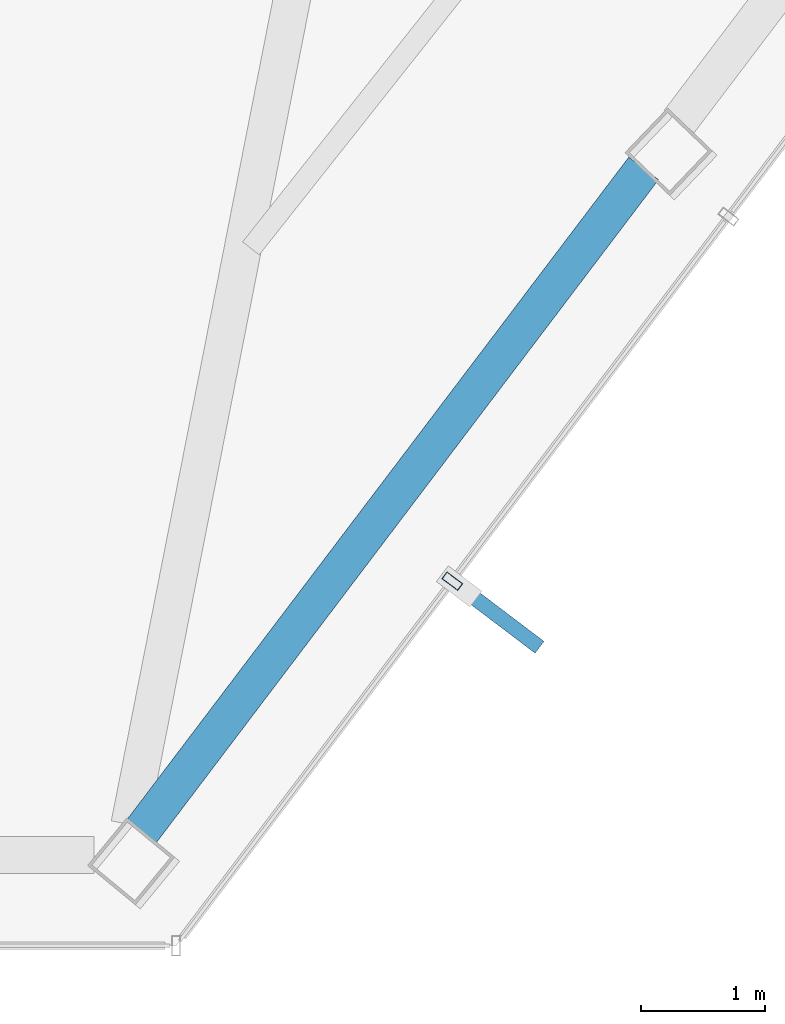
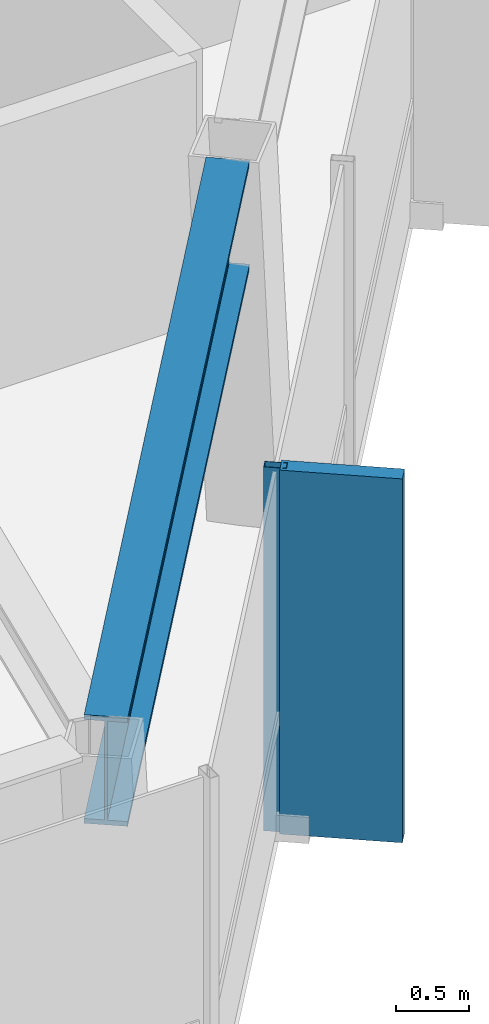
# One storey, part 6 of 24: 2 members, 1 beam, 1 element without a shape of its own.
"""IFC4 building model written with IfcOpenShell, lengths in metres."""

import ifcopenshell
import ifcopenshell.guid

model = None  # the IFC model being written
_history = None  # IfcOwnerHistory: only IFC2X3 demands one
_inside = {}  # id of a spatial element -> (the spatial element, [elements in it])
_under = {}  # id of a project, library or spatial element -> (it, [spatial elements below it])
_declared = {}  # id of a project -> (the project, [libraries it declares])
_typed = {}  # id of a type object -> (the type object, [elements of that type])
_made_of = {}  # id of a material, layer set ... -> (it, [elements and type objects made of it])


def new_model(schema):
    """Start an empty IFC model of exactly this schema.

    Asked for "IFC4X3", IfcOpenShell would pick the latest addendum, in which some entities
    have other attributes; the version numbers below select the first issue.
    IFC2X3 requires an IfcOwnerHistory on every rooted entity: one is made here for all.
    """
    global model, _history
    if schema == "IFC4X3":
        model = ifcopenshell.file(schema_version=(4, 3, 0, 0))
    else:
        model = ifcopenshell.file(schema=schema)
    _inside.clear()
    _under.clear()
    _declared.clear()
    _typed.clear()
    _made_of.clear()
    _history = None
    if model.schema == "IFC2X3":
        org = make("IfcOrganization", Name="unknown")
        user = make(
            "IfcPersonAndOrganization",
            ThePerson=make("IfcPerson", FamilyName="unknown"),
            TheOrganization=org,
        )
        app = make(
            "IfcApplication",
            ApplicationDeveloper=org,
            Version="unknown",
            ApplicationFullName="unknown",
            ApplicationIdentifier="unknown",
        )
        _history = make(
            "IfcOwnerHistory",
            OwningUser=user,
            OwningApplication=app,
            ChangeAction="ADDED",
            CreationDate=0,
        )
    return model


def make(cls, **values):
    """One entity of the class cls with the attributes given. An attribute that is None is left unset."""
    return model.create_entity(
        cls, **{name: value for name, value in values.items() if value is not None}
    )


def rooted(cls, **values):
    """An entity with a GlobalId (a new one), such as an element, a storey or a relation."""
    return make(cls, GlobalId=ifcopenshell.guid.new(), OwnerHistory=_history, **values)


def si_unit(unit_type, name, prefix=None):
    """IfcSIUnit, for example si_unit("LENGTHUNIT", "METRE", prefix="MILLI")."""
    return make("IfcSIUnit", UnitType=unit_type, Prefix=prefix, Name=name)


def assignment(units):
    """IfcUnitAssignment: the units of a project."""
    return None if units is None else make("IfcUnitAssignment", Units=units)


def point(xyz):
    """IfcCartesianPoint."""
    return None if xyz is None else make("IfcCartesianPoint", Coordinates=xyz)


def direction(xyz):
    """IfcDirection."""
    return None if xyz is None else make("IfcDirection", DirectionRatios=xyz)


def frame(location, z_axis=None, x_axis=None):
    """IfcAxis2Placement3D, a coordinate frame: its origin and axes. An axis left out is left unset."""
    return make(
        "IfcAxis2Placement3D",
        Location=point(location),
        Axis=direction(z_axis),
        RefDirection=direction(x_axis),
    )


def frame_2d(location, x_axis=None):
    """IfcAxis2Placement2D, a coordinate frame in the plane: its origin and x axis."""
    return make(
        "IfcAxis2Placement2D", Location=point(location), RefDirection=direction(x_axis)
    )


def origin():
    """The frame at (0, 0, 0) with its axes left unset."""
    return frame((0.0, 0.0, 0.0))


def origin_2d():
    """The frame at (0, 0) in the plane with its x axis left unset."""
    return frame_2d((0.0, 0.0))


def place(relative_to, where):
    """IfcLocalPlacement: puts the frame where relative to a parent placement (None: the world)."""
    return make(
        "IfcLocalPlacement", PlacementRelTo=relative_to, RelativePlacement=where
    )


def context(
    kind, dimensions, precision=None, world=None, true_north=None, identifier=None
):
    """IfcGeometricRepresentationContext, for example the 3D "Model" context."""
    return make(
        "IfcGeometricRepresentationContext",
        ContextIdentifier=identifier,
        ContextType=kind,
        CoordinateSpaceDimension=dimensions,
        Precision=precision,
        WorldCoordinateSystem=world,
        TrueNorth=true_north,
    )


def subcontext(parent, identifier, kind, view, scale=None):
    """IfcGeometricRepresentationSubContext, for example "Body" below "Model"."""
    return make(
        "IfcGeometricRepresentationSubContext",
        ContextIdentifier=identifier,
        ContextType=kind,
        ParentContext=parent,
        TargetScale=scale,
        TargetView=view,
    )


def project(units=None, contexts=None):
    """IfcProject with its units and contexts."""
    return rooted(
        "IfcProject",
        Name="project",
        RepresentationContexts=contexts,
        UnitsInContext=assignment(units),
    )


def spatial(cls, under=None, at=None, **own):
    """A site, building, storey or space (cls), placed at a placement, below another one or the project."""
    s = rooted(cls, ObjectPlacement=at, **own)
    if under is not None:
        _under.setdefault(under.id(), (under, []))[1].append(s)
    return s


def profile(cls, at=None, kind="AREA", **sizes):
    """A parametric profile (cls). Its sizes go by their IFC names, for example OverallWidth=200.0."""
    return make(cls, ProfileType=kind, Position=at, **sizes)


def rectangle(**sizes):
    """IfcRectangleProfileDef."""
    return profile("IfcRectangleProfileDef", **sizes)


def hollow_rectangle(**sizes):
    """IfcRectangleHollowProfileDef."""
    return profile("IfcRectangleHollowProfileDef", **sizes)


def i_section(**sizes):
    """IfcIShapeProfileDef."""
    return profile("IfcIShapeProfileDef", **sizes)


def extrude(swept, where, along, depth):
    """IfcExtrudedAreaSolid: the profile swept, set in the frame where, extruded along a direction by depth."""
    return make(
        "IfcExtrudedAreaSolid",
        SweptArea=swept,
        Position=where,
        ExtrudedDirection=direction(along),
        Depth=depth,
    )


def shape(context_of_items, identifier, shape_type, items):
    """IfcShapeRepresentation: the items that make up one representation, for example the "Body"."""
    return make(
        "IfcShapeRepresentation",
        ContextOfItems=context_of_items,
        RepresentationIdentifier=identifier,
        RepresentationType=shape_type,
        Items=items,
    )


def material(Name=None, Category=None):
    """IfcMaterial."""
    return make("IfcMaterial", Name=Name, Category=Category)


def layer(
    of_material, thickness, ventilated=None, Name=None, Category=None, Priority=None
):
    """IfcMaterialLayer: one layer of a wall or slab, of a material (None: an air gap)."""
    return make(
        "IfcMaterialLayer",
        Material=of_material,
        LayerThickness=thickness,
        IsVentilated=ventilated,
        Name=Name,
        Category=Category,
        Priority=Priority,
    )


def layer_set(layers, Name=None):
    """IfcMaterialLayerSet."""
    return make("IfcMaterialLayerSet", MaterialLayers=layers, LayerSetName=Name)


def material_profile(
    of_material, cross_section, Name=None, Category=None, Priority=None
):
    """IfcMaterialProfile: a cross section and its material."""
    return make(
        "IfcMaterialProfile",
        Name=Name,
        Material=of_material,
        Profile=cross_section,
        Priority=Priority,
        Category=Category,
    )


def profile_set(profiles, Name=None, composite=None):
    """IfcMaterialProfileSet."""
    return make(
        "IfcMaterialProfileSet",
        Name=Name,
        MaterialProfiles=profiles,
        CompositeProfile=composite,
    )


def made_of(thing, what):
    """Note that an element or type object is made of a material, layer set ...; save() writes the relation."""
    if what is not None:
        _made_of.setdefault(what.id(), (what, []))[1].append(thing)
    return thing


def type_object(cls, material=None, **own):
    """A type object (cls), such as IfcWallType, which elements share."""
    return made_of(rooted(cls, **own), material)


def element(
    cls,
    number,
    at=None,
    inside=None,
    cuts=None,
    type_object=None,
    material=None,
    context=None,
    identifier="Body",
    shape_type=None,
    held_by="IfcProductDefinitionShape",
    body=None,
    shapes=None,
    **own,
):
    """One element of the class cls, such as IfcWall. Its Tag is "e" and its number.

    at: its placement. inside: the storey or other place that contains it. cuts: it is an
    opening in that element (IfcRelVoidsElement). A single representation is given by context,
    identifier, shape_type and body (its items); several are given by shapes. held_by: the class
    of the entity that holds the representations. save() writes the other relations.
    """
    e = rooted(cls, Tag="e%d" % number, ObjectPlacement=at, **own)
    if body is not None:
        shapes = [shape(context, identifier, shape_type, body)]
    if shapes is not None:
        e.Representation = make(held_by, Representations=shapes)
    if inside is not None:
        _inside.setdefault(inside.id(), (inside, []))[1].append(e)
    if cuts is not None:
        rooted(
            "IfcRelVoidsElement", RelatingBuildingElement=cuts, RelatedOpeningElement=e
        )
    if type_object is not None:
        _typed.setdefault(type_object.id(), (type_object, []))[1].append(e)
    return made_of(e, material)


def aggregate(whole, parts):
    """IfcRelAggregates: a whole, such as a stair, and the parts it consists of."""
    return rooted("IfcRelAggregates", RelatingObject=whole, RelatedObjects=parts)


def save(model, path):
    """Write the relations noted so far, then the file.

    IfcRelAggregates (storeys below a building ...), IfcRelContainedInSpatialStructure (elements
    in a storey), IfcRelDefinesByType, IfcRelAssociatesMaterial and IfcRelDeclares: one each for
    every whole, place, type object, material and project.
    """
    for whole, parts in _under.values():
        aggregate(whole, parts)
    for where, things in _inside.values():
        rooted(
            "IfcRelContainedInSpatialStructure",
            RelatedElements=things,
            RelatingStructure=where,
        )
    for kind, things in _typed.values():
        rooted("IfcRelDefinesByType", RelatedObjects=things, RelatingType=kind)
    for what, things in _made_of.values():
        rooted("IfcRelAssociatesMaterial", RelatedObjects=things, RelatingMaterial=what)
    for by, libraries in _declared.values():
        rooted("IfcRelDeclares", RelatingContext=by, RelatedDefinitions=libraries)
    model.write(path)


model = new_model("IFC4")

# Units and contexts
model_context = context("Model", 3, precision=1e-05, world=origin(), true_north=direction((0.0, 1.0)))
body_context = subcontext(model_context, "Body", "Model", "MODEL_VIEW")
ifc_project = project(units=[si_unit("LENGTHUNIT", "METRE"), si_unit("AREAUNIT", "SQUARE_METRE"), si_unit("VOLUMEUNIT", "CUBIC_METRE"), si_unit("PLANEANGLEUNIT", "RADIAN"), si_unit("MASSUNIT", "GRAM", prefix="KILO")], contexts=[model_context])

# Site, building, storey
site_placement = place(None, origin())
site = spatial("IfcSite", under=ifc_project, at=site_placement, CompositionType="ELEMENT")
building_placement = place(site_placement, origin())
building = spatial("IfcBuilding", under=site, at=building_placement, Name="Zarrinselat Tower", CompositionType="ELEMENT")
storey_placement = place(building_placement, frame((0.0, 0.0, 249.56005859375)))
storey = spatial("IfcBuildingStorey", under=building, at=storey_placement, Name="L63", CompositionType="ELEMENT", Elevation=249.56005859375)

# Beam
ifc_material_1 = material(Name="Steel S460M", Category="steel")
ifc_material_profile_1 = material_profile(ifc_material_1, i_section(OverallWidth=0.302001953125, OverallDepth=0.909912109375, WebThickness=0.02099609375, FlangeThickness=0.0400390625, at=origin_2d()), Name="HEM 900")
ifc_profile_set_1 = profile_set([ifc_material_profile_1], Name="Steel S460M")
beam_type = type_object("IfcBeamType", Name="BM-HEM900", PredefinedType="BEAM", material=ifc_profile_set_1)
beam_placement = place(storey_placement, frame((43.26416015625, 19.725830078125, 2.594970703125), z_axis=(0.603837422823, 0.797107500152, 0.0), x_axis=(-0.797107500152, 0.603837422823, 0.0)))
element("IfcBeam", 1, at=beam_placement, inside=storey, type_object=beam_type, Name="L63 Perimeter Spandrel Girder SP11", PredefinedType="BEAM", context=body_context, shape_type="SweptSolid", body=[
    extrude(i_section(OverallWidth=0.302001953125, OverallDepth=0.909912109375, WebThickness=0.02099609375, FlangeThickness=0.0400390625, at=origin_2d()), origin(), (0.0, 0.0, 1.0), 6.7265625),
])

# Curtain wall, members
ifc_material_2 = material(Name="Extruded Aluminium Alloy EN AW-6063 T6", Category="aluminium")
ifc_layer = layer(ifc_material_2, 0.169921875)
ifc_layer_set = layer_set([ifc_layer], Name="Extruded Aluminium Alloy EN AW-6063 T6")
curtain_wall_type = type_object("IfcCurtainWallType", Name="CWS-RES", PredefinedType="NOTDEFINED", material=ifc_layer_set)
curtain_wall_placement = place(storey_placement, origin())
curtain_wall = element("IfcCurtainWall", 2, at=curtain_wall_placement, inside=storey, type_object=curtain_wall_type, Name="L63 Unitised Curtain Wall CW-L63-E05", PredefinedType="NOTDEFINED")
ifc_material_3 = material(Name="Extruded Aluminium Alloy EN AW-6063 T6", Category="aluminium")
ifc_material_profile_2 = material_profile(ifc_material_3, hollow_rectangle(XDim=0.070068359375, YDim=0.159912109375, WallThickness=0.00390625, at=origin_2d()), Name="RHS 160x70x4")
ifc_profile_set_2 = profile_set([ifc_material_profile_2], Name="Extruded Aluminium Alloy EN AW-6063 T6")
member_type_1 = type_object("IfcMemberType", Name="MEM-CW-MUL2", PredefinedType="MULLION", material=ifc_profile_set_2)
member_1_placement = place(storey_placement, frame((45.7783203125, 21.75048828125, 0.0), z_axis=(0.0, 0.0, 1.0), x_axis=(0.603855865899, 0.797093528527, 0.0)))
member_1 = element("IfcMember", 3, at=member_1_placement, type_object=member_type_1, Name="CW-L63-E05 Mullion 1", PredefinedType="MULLION", context=body_context, shape_type="SweptSolid", body=[
    extrude(hollow_rectangle(XDim=0.070068359375, YDim=0.159912109375, WallThickness=0.00390625, at=origin_2d()), origin(), (0.0, 0.0, 1.0), 3.050048828125),
])
ifc_material_4 = material(Name="Honed Cream Travertine Stone", Category="masonry")
ifc_material_profile_3 = material_profile(ifc_material_4, rectangle(XDim=0.1201171875, YDim=0.85009765625, at=origin_2d()), Name="FIN 850x120")
ifc_profile_set_3 = profile_set([ifc_material_profile_3], Name="Honed Cream Travertine Stone")
member_type_2 = type_object("IfcMemberType", Name="MEM-STONE-FIN", PredefinedType="USERDEFINED", material=ifc_profile_set_3)
member_2_placement = place(storey_placement, frame((46.14501953125, 21.47265625, 0.0), z_axis=(0.0, 0.0, 1.0), x_axis=(-0.603855865899, -0.797093528527, 0.0)))
member_2 = element("IfcMember", 4, at=member_2_placement, type_object=member_type_2, Name="L63 Stone Shading Fin CW-L63-E05-01", ObjectType="FIN", PredefinedType="USERDEFINED", context=body_context, shape_type="SweptSolid", body=[
    extrude(rectangle(XDim=0.1201171875, YDim=0.85009765625, at=origin_2d()), origin(), (0.0, 0.0, 1.0), 3.050048828125),
])
aggregate(curtain_wall, [member_1, member_2])

save(model, "model.ifc")
